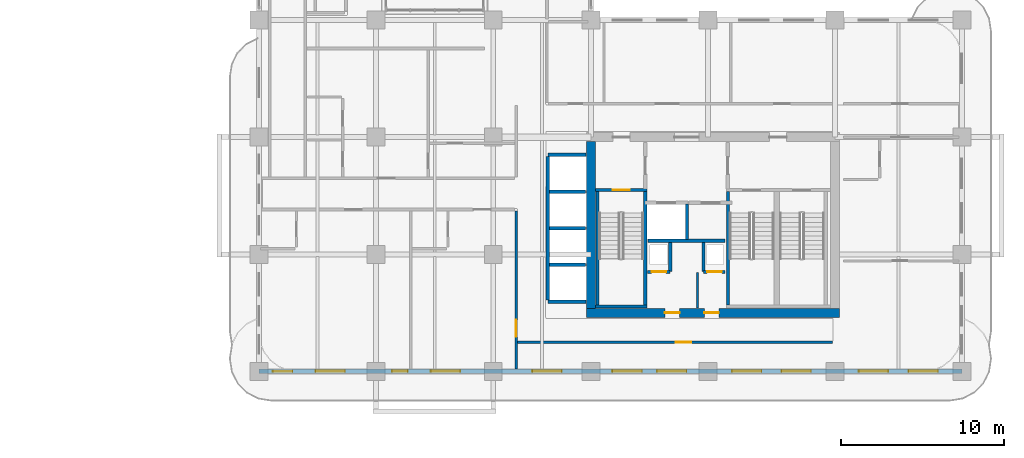
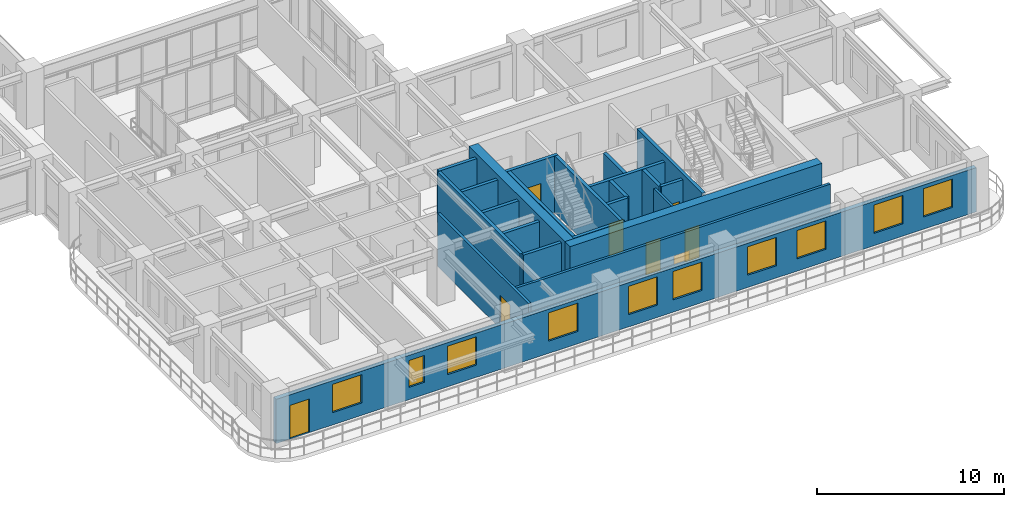
# One storey, part 13 of 22: 23 walls, 10 windows, 8 doors, 18 openings.
"""IFC4 building model written with IfcOpenShell, lengths in metres."""

from ifc_helpers import new_model, si_unit, derived_unit, direction, frame, frame_2d, origin, place, context, subcontext, project, spatial, rectangle, extrude, source, transform, mapped, material, layer, layer_set, type_object, type_shapes, element, fill, save


model = new_model("IFC4")

# Units and contexts
model_context = context("Model", 3, precision=1e-05, world=origin(), true_north=direction((0.0, 1.0)))
body_context = subcontext(model_context, "Body", "Model", "MODEL_VIEW")
ifc_project = project(units=[si_unit("LENGTHUNIT", "METRE"), si_unit("AREAUNIT", "SQUARE_METRE"), si_unit("VOLUMEUNIT", "CUBIC_METRE"), si_unit("PLANEANGLEUNIT", "RADIAN"), si_unit("MASSUNIT", "GRAM", prefix="KILO"), si_unit("THERMODYNAMICTEMPERATUREUNIT", "KELVIN"), si_unit("POWERUNIT", "WATT"), derived_unit("THERMALTRANSMITTANCEUNIT", [(si_unit("POWERUNIT", "WATT"), 1), (si_unit("AREAUNIT", "SQUARE_METRE"), -1), (si_unit("THERMODYNAMICTEMPERATUREUNIT", "KELVIN"), -1)])], contexts=[model_context])

# Site, building, storey
site_placement = place(None, origin())
site = spatial("IfcSite", under=ifc_project, at=site_placement, CompositionType="ELEMENT")
building_placement = place(site_placement, origin())
building = spatial("IfcBuilding", under=site, at=building_placement, Name="Zahravan Archway Hotel and Residences", CompositionType="ELEMENT")
storey_placement = place(building_placement, frame((0.0, 0.0, 87.89990234375)))
storey = spatial("IfcBuildingStorey", under=building, at=storey_placement, Name="L21", CompositionType="ELEMENT", Elevation=87.89990234375)

# Wall, openings, doors
ifc_material_1 = material(Name="Concrete C70/85", Category="concrete")
ifc_layer_1 = layer(ifc_material_1, 0.550048828125, Name="Concrete C70/85", Category="concrete")
ifc_layer_set_1 = layer_set([ifc_layer_1], Name="Concrete C70/85")
wall_type_1 = type_object("IfcWallType", Name="CW-CORE-550", PredefinedType="SHEAR", material=ifc_layer_set_1)
wall_1_placement = place(storey_placement, frame((34.52490234375, 3.60009765625, 0.0), z_axis=(0.0, 0.0, 1.0), x_axis=(1.0, 0.0, 0.0)))
wall_1 = element("IfcWall", 1, at=wall_1_placement, inside=storey, type_object=wall_type_1, Name="L21 Core A Shear S Wall 550 mm", PredefinedType="SHEAR", context=body_context, shape_type="SweptSolid", body=[
    extrude(rectangle(XDim=15.550048828125, YDim=0.550048828125, at=frame_2d((7.77490234375, 0.0))), origin(), (0.0, 0.0, 1.0), 3.7001953125),
])
opening_1_placement = place(wall_1_placement, frame((4.824951171875, 0.0, 0.0)))
opening_1 = element("IfcOpeningElement", 2, at=opening_1_placement, cuts=wall_1, Name="Opening FD-R1", PredefinedType="OPENING", context=body_context, shape_type="SweptSolid", body=[
    extrude(rectangle(XDim=0.89990234375, YDim=2.10009765625, at=frame_2d((0.449951171875, 1.050048828125))), frame((0.0, 0.28515625, 0.0), z_axis=(0.0, -1.0, 0.0), x_axis=(1.0, 0.0, 0.0)), (0.0, 0.0, 1.0), 0.570068359375),
])
opening_2_placement = place(wall_1_placement, frame((7.2451171875, 0.0, 0.0)))
opening_2 = element("IfcOpeningElement", 3, at=opening_2_placement, cuts=wall_1, Name="Opening FD-R1", PredefinedType="OPENING", context=body_context, shape_type="SweptSolid", body=[
    extrude(rectangle(XDim=0.89990234375, YDim=2.10009765625, at=frame_2d((0.449951171875, 1.050048828125))), frame((0.0, 0.28515625, 0.0), z_axis=(0.0, -1.0, 0.0), x_axis=(1.0, 0.0, 0.0)), (0.0, 0.0, 1.0), 0.570068359375),
])
ifc_material_2 = material(Name="Fire-Rated Painted Steel", Category="steel")
door_type_1 = type_object("IfcDoorType", Name="FD-RISER-900", OperationType="NOTDEFINED", PredefinedType="DOOR", material=ifc_material_2)
shared_shape_1 = source(origin(), body_context, "Body", "SweptSolid", [
    extrude(rectangle(XDim=0.89990234375, YDim=2.10009765625, at=frame_2d((0.449951171875, 1.050048828125))), frame((0.0, 0.02490234375, 0.0), z_axis=(0.0, -1.0, 0.0), x_axis=(1.0, 0.0, 0.0)), (0.0, 0.0, 1.0), 0.050048828125),
])
type_shapes(door_type_1, [shared_shape_1])
door_1_placement = place(opening_1_placement, origin())
door_1 = element("IfcDoor", 4, at=door_1_placement, inside=storey, type_object=door_type_1, Name="L21 Service Pantry Door", OperationType="SINGLE_SWING_RIGHT", OverallHeight=2.10009765625, OverallWidth=0.89990234375, PredefinedType="DOOR", context=body_context, shape_type="MappedRepresentation", body=[
    mapped(shared_shape_1, transform((0.0, 0.0, 0.0), scale=1.0)),
])
fill(opening_1, door_1)
door_2_placement = place(opening_2_placement, origin())
door_2 = element("IfcDoor", 5, at=door_2_placement, inside=storey, type_object=door_type_1, Name="L21 Fibre ELV Riser Door", OperationType="SINGLE_SWING_LEFT", OverallHeight=2.10009765625, OverallWidth=0.89990234375, PredefinedType="DOOR", context=body_context, shape_type="MappedRepresentation", body=[
    mapped(shared_shape_1, transform((0.0, 0.0, 0.0), scale=1.0)),
])
fill(opening_2, door_2)

# Wall
wall_2_placement = place(storey_placement, frame((34.800048828125, 3.875, 0.0), z_axis=(0.0, 0.0, 1.0), x_axis=(0.0, 1.0, 0.0)))
element("IfcWall", 6, at=wall_2_placement, inside=storey, type_object=wall_type_1, Name="L21 Core A Shear W Wall 550 mm", PredefinedType="SHEAR", context=body_context, shape_type="SweptSolid", body=[
    extrude(rectangle(XDim=10.25, YDim=0.550048828125, at=frame_2d((5.125, 0.0))), origin(), (0.0, 0.0, 1.0), 3.7001953125),
])

# Wall, openings, door, windows
ifc_material_3 = material(Name="Honed Red-Ochre Sandstone & Insulated Block", Category="masonry")
ifc_layer_2 = layer(ifc_material_3, 0.280029296875, Name="Honed Red-Ochre Sandstone & Insulated Block", Category="masonry")
ifc_layer_set_2 = layer_set([ifc_layer_2], Name="Honed Red-Ochre Sandstone & Insulated Block")
wall_type_2 = type_object("IfcWallType", Name="EW-LOG-280", PredefinedType="SOLIDWALL", material=ifc_layer_set_2)
wall_3_placement = place(storey_placement, frame((14.39990234375, 0.0, 0.0), z_axis=(0.0, 0.0, 1.0), x_axis=(1.0, 0.0, 0.0)))
wall_3 = element("IfcWall", 7, at=wall_3_placement, inside=storey, type_object=wall_type_2, Name="L21 Exterior Sandstone Wall WA-S", PredefinedType="SOLIDWALL", context=body_context, shape_type="SweptSolid", body=[
    extrude(rectangle(XDim=43.2001953125, YDim=0.280029296875, at=frame_2d((21.60009765625, 0.0))), origin(), (0.0, 0.0, 1.0), 2.885009765625),
])
opening_3_placement = place(wall_3_placement, frame((0.85009765625, 0.0, 0.0)))
opening_3 = element("IfcOpeningElement", 8, at=opening_3_placement, cuts=wall_3, Name="Opening ED-BL1", PredefinedType="OPENING", context=body_context, shape_type="SweptSolid", body=[
    extrude(rectangle(XDim=1.199951171875, YDim=2.199951171875, at=frame_2d((0.60009765625, 1.10009765625))), frame((0.0, 0.14990234375, 0.0), z_axis=(0.0, -1.0, 0.0), x_axis=(1.0, 0.0, 0.0)), (0.0, 0.0, 1.0), 0.300048828125),
])
opening_4_placement = place(wall_3_placement, frame((3.47509765625, 0.0, 0.800048828125)))
opening_4 = element("IfcOpeningElement", 9, at=opening_4_placement, cuts=wall_3, Name="Opening W-02", PredefinedType="OPENING", context=body_context, shape_type="SweptSolid", body=[
    extrude(rectangle(XDim=1.800048828125, YDim=1.85009765625, at=frame_2d((0.89990234375, 0.925048828125))), frame((0.0, 0.14990234375, 0.0), z_axis=(0.0, -1.0, 0.0), x_axis=(1.0, 0.0, 0.0)), (0.0, 0.0, 1.0), 0.300048828125),
])
opening_5_placement = place(wall_3_placement, frame((8.180908203125, 0.0, 0.800048828125)))
opening_5 = element("IfcOpeningElement", 10, at=opening_5_placement, cuts=wall_3, Name="Opening W-04", PredefinedType="OPENING", context=body_context, shape_type="SweptSolid", body=[
    extrude(rectangle(XDim=0.949951171875, YDim=1.75, at=frame_2d((0.47509765625, 0.875))), frame((0.0, 0.14990234375, 0.0), z_axis=(0.0, -1.0, 0.0), x_axis=(1.0, 0.0, 0.0)), (0.0, 0.0, 1.0), 0.300048828125),
])
opening_6_placement = place(wall_3_placement, frame((10.56396484375, 0.0, 0.800048828125)))
opening_6 = element("IfcOpeningElement", 11, at=opening_6_placement, cuts=wall_3, Name="Opening W-02", PredefinedType="OPENING", context=body_context, shape_type="SweptSolid", body=[
    extrude(rectangle(XDim=1.800048828125, YDim=1.85009765625, at=frame_2d((0.89990234375, 0.925048828125))), frame((0.0, 0.14990234375, 0.0), z_axis=(0.0, -1.0, 0.0), x_axis=(1.0, 0.0, 0.0)), (0.0, 0.0, 1.0), 0.300048828125),
])
opening_7_placement = place(wall_3_placement, frame((16.803955078125, 0.0, 0.800048828125)))
opening_7 = element("IfcOpeningElement", 12, at=opening_7_placement, cuts=wall_3, Name="Opening W-02", PredefinedType="OPENING", context=body_context, shape_type="SweptSolid", body=[
    extrude(rectangle(XDim=1.800048828125, YDim=1.85009765625, at=frame_2d((0.89990234375, 0.925048828125))), frame((0.0, 0.14990234375, 0.0), z_axis=(0.0, -1.0, 0.0), x_axis=(1.0, 0.0, 0.0)), (0.0, 0.0, 1.0), 0.300048828125),
])
opening_8_placement = place(wall_3_placement, frame((21.72509765625, 0.0, 0.800048828125)))
opening_8 = element("IfcOpeningElement", 13, at=opening_8_placement, cuts=wall_3, Name="Opening W-02", PredefinedType="OPENING", context=body_context, shape_type="SweptSolid", body=[
    extrude(rectangle(XDim=1.800048828125, YDim=1.85009765625, at=frame_2d((0.89990234375, 0.925048828125))), frame((0.0, 0.14990234375, 0.0), z_axis=(0.0, -1.0, 0.0), x_axis=(1.0, 0.0, 0.0)), (0.0, 0.0, 1.0), 0.300048828125),
])
opening_9_placement = place(wall_3_placement, frame((24.47509765625, 0.0, 0.800048828125)))
opening_9 = element("IfcOpeningElement", 14, at=opening_9_placement, cuts=wall_3, Name="Opening W-02", PredefinedType="OPENING", context=body_context, shape_type="SweptSolid", body=[
    extrude(rectangle(XDim=1.800048828125, YDim=1.85009765625, at=frame_2d((0.89990234375, 0.925048828125))), frame((0.0, 0.14990234375, 0.0), z_axis=(0.0, -1.0, 0.0), x_axis=(1.0, 0.0, 0.0)), (0.0, 0.0, 1.0), 0.300048828125),
])
opening_10_placement = place(wall_3_placement, frame((29.074951171875, 0.0, 0.800048828125)))
opening_10 = element("IfcOpeningElement", 15, at=opening_10_placement, cuts=wall_3, Name="Opening W-02", PredefinedType="OPENING", context=body_context, shape_type="SweptSolid", body=[
    extrude(rectangle(XDim=1.800048828125, YDim=1.85009765625, at=frame_2d((0.89990234375, 0.925048828125))), frame((0.0, 0.14990234375, 0.0), z_axis=(0.0, -1.0, 0.0), x_axis=(1.0, 0.0, 0.0)), (0.0, 0.0, 1.0), 0.300048828125),
])
opening_11_placement = place(wall_3_placement, frame((32.125, 0.0, 0.800048828125)))
opening_11 = element("IfcOpeningElement", 16, at=opening_11_placement, cuts=wall_3, Name="Opening W-02", PredefinedType="OPENING", context=body_context, shape_type="SweptSolid", body=[
    extrude(rectangle(XDim=1.800048828125, YDim=1.85009765625, at=frame_2d((0.89990234375, 0.925048828125))), frame((0.0, 0.14990234375, 0.0), z_axis=(0.0, -1.0, 0.0), x_axis=(1.0, 0.0, 0.0)), (0.0, 0.0, 1.0), 0.300048828125),
])
opening_12_placement = place(wall_3_placement, frame((36.875, 0.0, 0.800048828125)))
opening_12 = element("IfcOpeningElement", 17, at=opening_12_placement, cuts=wall_3, Name="Opening W-02", PredefinedType="OPENING", context=body_context, shape_type="SweptSolid", body=[
    extrude(rectangle(XDim=1.800048828125, YDim=1.85009765625, at=frame_2d((0.89990234375, 0.925048828125))), frame((0.0, 0.14990234375, 0.0), z_axis=(0.0, -1.0, 0.0), x_axis=(1.0, 0.0, 0.0)), (0.0, 0.0, 1.0), 0.300048828125),
])
opening_13_placement = place(wall_3_placement, frame((39.925048828125, 0.0, 0.800048828125)))
opening_13 = element("IfcOpeningElement", 18, at=opening_13_placement, cuts=wall_3, Name="Opening W-02", PredefinedType="OPENING", context=body_context, shape_type="SweptSolid", body=[
    extrude(rectangle(XDim=1.800048828125, YDim=1.85009765625, at=frame_2d((0.89990234375, 0.925048828125))), frame((0.0, 0.14990234375, 0.0), z_axis=(0.0, -1.0, 0.0), x_axis=(1.0, 0.0, 0.0)), (0.0, 0.0, 1.0), 0.300048828125),
])
ifc_material_4 = material(Name="Bronze-Anodized Glazed Aluminium", Category="aluminium")
door_type_2 = type_object("IfcDoorType", Name="ED-BALC-1200", OperationType="SLIDING_TO_LEFT", PredefinedType="DOOR", material=ifc_material_4)
shared_shape_2 = source(origin(), body_context, "Body", "SweptSolid", [
    extrude(rectangle(XDim=1.199951171875, YDim=2.199951171875, at=frame_2d((0.60009765625, 1.10009765625))), frame((0.0, 0.02490234375, 0.0), z_axis=(0.0, -1.0, 0.0), x_axis=(1.0, 0.0, 0.0)), (0.0, 0.0, 1.0), 0.050048828125),
])
type_shapes(door_type_2, [shared_shape_2])
door_3_placement = place(opening_3_placement, origin())
door_3 = element("IfcDoor", 19, at=door_3_placement, inside=storey, type_object=door_type_2, Name="L21 Outdoor Access Sliding Door (SLB-BAL-L21-SA)", OperationType="SLIDING_TO_LEFT", OverallHeight=2.199951171875, OverallWidth=1.199951171875, PredefinedType="DOOR", context=body_context, shape_type="MappedRepresentation", body=[
    mapped(shared_shape_2, transform((0.0, 0.0, 0.0), scale=1.0)),
])
fill(opening_3, door_3)
ifc_material_5 = material(Name="Bronze-Anodized Thermal-Break Aluminium & Low-E Glass", Category="aluminium")
window_type_1 = type_object("IfcWindowType", Name="WIN-NAR-950", PartitioningType="SINGLE_PANEL", PredefinedType="WINDOW", material=ifc_material_5)
shared_shape_3 = source(origin(), body_context, "Body", "SweptSolid", [
    extrude(rectangle(XDim=0.949951171875, YDim=1.75, at=frame_2d((0.47509765625, 0.875))), frame((0.0, 0.030029296875, 0.0), z_axis=(0.0, -1.0, 0.0), x_axis=(1.0, 0.0, 0.0)), (0.0, 0.0, 1.0), 0.06005859375),
])
type_shapes(window_type_1, [shared_shape_3])
window_1_placement = place(opening_5_placement, origin())
window_1 = element("IfcWindow", 20, at=window_1_placement, inside=storey, type_object=window_type_1, Name="L21 Loggia Window 02", OverallHeight=1.75, OverallWidth=0.949951171875, PartitioningType="SINGLE_PANEL", PredefinedType="WINDOW", context=body_context, shape_type="MappedRepresentation", body=[
    mapped(shared_shape_3, transform((0.0, 0.0, 0.0), scale=1.0)),
])
fill(opening_5, window_1)
window_type_2 = type_object("IfcWindowType", Name="WIN-TWR-1800", PartitioningType="DOUBLE_PANEL_VERTICAL", PredefinedType="WINDOW", material=ifc_material_5)
shared_shape_4 = source(origin(), body_context, "Body", "SweptSolid", [
    extrude(rectangle(XDim=1.800048828125, YDim=1.85009765625, at=frame_2d((0.89990234375, 0.925048828125))), frame((0.0, 0.030029296875, 0.0), z_axis=(0.0, -1.0, 0.0), x_axis=(1.0, 0.0, 0.0)), (0.0, 0.0, 1.0), 0.06005859375),
])
type_shapes(window_type_2, [shared_shape_4])
window_2_placement = place(opening_4_placement, origin())
window_2 = element("IfcWindow", 21, at=window_2_placement, inside=storey, type_object=window_type_2, Name="L21 Loggia Window 01", OverallHeight=1.85009765625, OverallWidth=1.800048828125, PartitioningType="DOUBLE_PANEL_VERTICAL", PredefinedType="WINDOW", context=body_context, shape_type="MappedRepresentation", body=[
    mapped(shared_shape_4, transform((0.0, 0.0, 0.0), scale=1.0)),
])
fill(opening_4, window_2)
window_3_placement = place(opening_6_placement, origin())
window_3 = element("IfcWindow", 22, at=window_3_placement, inside=storey, type_object=window_type_2, Name="L21 Loggia Window 03", OverallHeight=1.85009765625, OverallWidth=1.800048828125, PartitioningType="DOUBLE_PANEL_VERTICAL", PredefinedType="WINDOW", context=body_context, shape_type="MappedRepresentation", body=[
    mapped(shared_shape_4, transform((0.0, 0.0, 0.0), scale=1.0)),
])
fill(opening_6, window_3)
window_4_placement = place(opening_7_placement, origin())
window_4 = element("IfcWindow", 23, at=window_4_placement, inside=storey, type_object=window_type_2, Name="L21 Loggia Window 04", OverallHeight=1.85009765625, OverallWidth=1.800048828125, PartitioningType="DOUBLE_PANEL_VERTICAL", PredefinedType="WINDOW", context=body_context, shape_type="MappedRepresentation", body=[
    mapped(shared_shape_4, transform((0.0, 0.0, 0.0), scale=1.0)),
])
fill(opening_7, window_4)
window_5_placement = place(opening_8_placement, origin())
window_5 = element("IfcWindow", 24, at=window_5_placement, inside=storey, type_object=window_type_2, Name="L21 Loggia Window 05", OverallHeight=1.85009765625, OverallWidth=1.800048828125, PartitioningType="DOUBLE_PANEL_VERTICAL", PredefinedType="WINDOW", context=body_context, shape_type="MappedRepresentation", body=[
    mapped(shared_shape_4, transform((0.0, 0.0, 0.0), scale=1.0)),
])
fill(opening_8, window_5)
window_6_placement = place(opening_9_placement, origin())
window_6 = element("IfcWindow", 25, at=window_6_placement, inside=storey, type_object=window_type_2, Name="L21 Loggia Window 06", OverallHeight=1.85009765625, OverallWidth=1.800048828125, PartitioningType="DOUBLE_PANEL_VERTICAL", PredefinedType="WINDOW", context=body_context, shape_type="MappedRepresentation", body=[
    mapped(shared_shape_4, transform((0.0, 0.0, 0.0), scale=1.0)),
])
fill(opening_9, window_6)
window_7_placement = place(opening_10_placement, origin())
window_7 = element("IfcWindow", 26, at=window_7_placement, inside=storey, type_object=window_type_2, Name="L21 Loggia Window 07", OverallHeight=1.85009765625, OverallWidth=1.800048828125, PartitioningType="DOUBLE_PANEL_VERTICAL", PredefinedType="WINDOW", context=body_context, shape_type="MappedRepresentation", body=[
    mapped(shared_shape_4, transform((0.0, 0.0, 0.0), scale=1.0)),
])
fill(opening_10, window_7)
window_8_placement = place(opening_11_placement, origin())
window_8 = element("IfcWindow", 27, at=window_8_placement, inside=storey, type_object=window_type_2, Name="L21 Loggia Window 08", OverallHeight=1.85009765625, OverallWidth=1.800048828125, PartitioningType="DOUBLE_PANEL_VERTICAL", PredefinedType="WINDOW", context=body_context, shape_type="MappedRepresentation", body=[
    mapped(shared_shape_4, transform((0.0, 0.0, 0.0), scale=1.0)),
])
fill(opening_11, window_8)
window_9_placement = place(opening_12_placement, origin())
window_9 = element("IfcWindow", 28, at=window_9_placement, inside=storey, type_object=window_type_2, Name="L21 Loggia Window 09", OverallHeight=1.85009765625, OverallWidth=1.800048828125, PartitioningType="DOUBLE_PANEL_VERTICAL", PredefinedType="WINDOW", context=body_context, shape_type="MappedRepresentation", body=[
    mapped(shared_shape_4, transform((0.0, 0.0, 0.0), scale=1.0)),
])
fill(opening_12, window_9)
window_10_placement = place(opening_13_placement, origin())
window_10 = element("IfcWindow", 29, at=window_10_placement, inside=storey, type_object=window_type_2, Name="L21 Loggia Window 10", OverallHeight=1.85009765625, OverallWidth=1.800048828125, PartitioningType="DOUBLE_PANEL_VERTICAL", PredefinedType="WINDOW", context=body_context, shape_type="MappedRepresentation", body=[
    mapped(shared_shape_4, transform((0.0, 0.0, 0.0), scale=1.0)),
])
fill(opening_13, window_10)

# Wall, opening, door
ifc_material_6 = material(Name="Fire-Rated Gypsum & Concrete Block", Category="concrete")
ifc_layer_3 = layer(ifc_material_6, 0.159912109375, Name="Fire-Rated Gypsum & Concrete Block", Category="concrete")
ifc_layer_set_3 = layer_set([ifc_layer_3], Name="Fire-Rated Gypsum & Concrete Block")
wall_type_3 = type_object("IfcWallType", Name="PW-CORR-160", PredefinedType="PARTITIONING", material=ifc_layer_set_3)
wall_4_placement = place(storey_placement, frame((30.199951171875, 0.14794921875, 0.0), z_axis=(0.0, 0.0, 1.0), x_axis=(0.0, 1.0, 0.0)))
wall_4 = element("IfcWall", 30, at=wall_4_placement, inside=storey, type_object=wall_type_3, Name="L21 Partition WA-SRW", PredefinedType="PARTITIONING", context=body_context, shape_type="SweptSolid", body=[
    extrude(rectangle(XDim=9.712158203125, YDim=0.159912109375, at=frame_2d((4.85595703125, 0.0))), origin(), (0.0, 0.0, 1.0), 3.4501953125),
])
opening_14_placement = place(wall_4_placement, frame((1.97705078125, 0.0, 0.0)))
opening_14 = element("IfcOpeningElement", 31, at=opening_14_placement, cuts=wall_4, Name="Opening FD-L2", PredefinedType="OPENING", context=body_context, shape_type="SweptSolid", body=[
    extrude(rectangle(XDim=1.050048828125, YDim=2.14990234375, at=frame_2d((0.52490234375, 1.074951171875))), frame((0.0, 0.08984375, 0.0), z_axis=(0.0, -1.0, 0.0), x_axis=(1.0, 0.0, 0.0)), (0.0, 0.0, 1.0), 0.179931640625),
])
door_type_3 = type_object("IfcDoorType", Name="FD-LOBBY-1100", OperationType="NOTDEFINED", PredefinedType="DOOR", material=ifc_material_2)
shared_shape_5 = source(origin(), body_context, "Body", "SweptSolid", [
    extrude(rectangle(XDim=1.050048828125, YDim=2.14990234375, at=frame_2d((0.52490234375, 1.074951171875))), frame((0.0, 0.02490234375, 0.0), z_axis=(0.0, -1.0, 0.0), x_axis=(1.0, 0.0, 0.0)), (0.0, 0.0, 1.0), 0.050048828125),
])
type_shapes(door_type_3, [shared_shape_5])
door_4_placement = place(opening_14_placement, origin())
door_4 = element("IfcDoor", 32, at=door_4_placement, inside=storey, type_object=door_type_3, Name="L21 South Riser Corridor Door", OperationType="SINGLE_SWING_LEFT", OverallHeight=2.14990234375, OverallWidth=1.050048828125, PredefinedType="DOOR", context=body_context, shape_type="MappedRepresentation", body=[
    mapped(shared_shape_5, transform((0.0, 0.0, 0.0), scale=1.0)),
])
fill(opening_14, door_4)

wall_5_placement = place(storey_placement, frame((30.2900390625, 1.800048828125, 0.0), z_axis=(0.0, 0.0, 1.0), x_axis=(1.0, 0.0, 0.0)))
wall_5 = element("IfcWall", 33, at=wall_5_placement, inside=storey, type_object=wall_type_3, Name="L21 Partition WA-SRS", PredefinedType="PARTITIONING", context=body_context, shape_type="SweptSolid", body=[
    extrude(rectangle(XDim=19.369873046875, YDim=0.159912109375, at=frame_2d((9.68505859375, 0.0))), origin(), (0.0, 0.0, 1.0), 3.4501953125),
])
opening_15_placement = place(wall_5_placement, frame((9.735107421875, 0.0, 0.0)))
opening_15 = element("IfcOpeningElement", 34, at=opening_15_placement, cuts=wall_5, Name="Opening D-I1", PredefinedType="OPENING", context=body_context, shape_type="SweptSolid", body=[
    extrude(rectangle(XDim=0.949951171875, YDim=2.14990234375, at=frame_2d((0.47509765625, 1.074951171875))), frame((0.0, 0.08984375, 0.0), z_axis=(0.0, -1.0, 0.0), x_axis=(1.0, 0.0, 0.0)), (0.0, 0.0, 1.0), 0.179931640625),
])
ifc_material_7 = material(Name="Hardwood Veneer Timber", Category="wood")
door_type_4 = type_object("IfcDoorType", Name="ID-INT-950", OperationType="NOTDEFINED", PredefinedType="DOOR", material=ifc_material_7)
shared_shape_6 = source(origin(), body_context, "Body", "SweptSolid", [
    extrude(rectangle(XDim=0.949951171875, YDim=2.14990234375, at=frame_2d((0.47509765625, 1.074951171875))), frame((0.0, 0.02490234375, 0.0), z_axis=(0.0, -1.0, 0.0), x_axis=(1.0, 0.0, 0.0)), (0.0, 0.0, 1.0), 0.050048828125),
])
type_shapes(door_type_4, [shared_shape_6])
door_5_placement = place(opening_15_placement, origin())
door_5 = element("IfcDoor", 35, at=door_5_placement, inside=storey, type_object=door_type_4, Name="L21 South Viewing Lounge Door", OperationType="SINGLE_SWING_RIGHT", OverallHeight=2.14990234375, OverallWidth=0.949951171875, PredefinedType="DOOR", context=body_context, shape_type="MappedRepresentation", body=[
    mapped(shared_shape_6, transform((0.0, 0.0, 0.0), scale=1.0)),
])
fill(opening_15, door_5)

# Walls
ifc_layer_4 = layer(ifc_material_6, 0.199951171875, Name="Fire-Rated Gypsum & Concrete Block", Category="concrete")
ifc_layer_set_4 = layer_set([ifc_layer_4], Name="Fire-Rated Gypsum & Concrete Block")
wall_type_4 = type_object("IfcWallType", Name="PW-SHAFT-200", PredefinedType="PARTITIONING", material=ifc_layer_set_4)
wall_6_placement = place(storey_placement, frame((38.300048828125, 8.030029296875, 0.0), z_axis=(0.0, 0.0, 1.0), x_axis=(1.0, 0.0, 0.0)))
element("IfcWall", 36, at=wall_6_placement, inside=storey, type_object=wall_type_4, Name="L21 Partition CA-FLS", PredefinedType="PARTITIONING", context=body_context, shape_type="SweptSolid", body=[
    extrude(rectangle(XDim=4.739990234375, YDim=0.199951171875, at=frame_2d((2.3701171875, 0.0))), origin(), (0.0, 0.0, 1.0), 3.4501953125),
])
wall_7_placement = place(storey_placement, frame((40.699951171875, 8.1201171875, 0.0), z_axis=(0.0, 0.0, 1.0), x_axis=(0.0, 1.0, 0.0)))
element("IfcWall", 37, at=wall_7_placement, inside=storey, type_object=wall_type_4, Name="L21 Partition CA-FLM", PredefinedType="PARTITIONING", context=body_context, shape_type="SweptSolid", body=[
    extrude(rectangle(XDim=2.179931640625, YDim=0.199951171875, at=frame_2d((1.08984375, 0.0))), origin(), (0.0, 0.0, 1.0), 3.4501953125),
])

# Wall, opening, door
wall_8_placement = place(storey_placement, frame((38.2900390625, 6.1201171875, 0.0), z_axis=(0.0, 0.0, 1.0), x_axis=(1.0, 0.0, 0.0)))
wall_8 = element("IfcWall", 38, at=wall_8_placement, inside=storey, type_object=wall_type_4, Name="L21 Partition CA-SMKS", PredefinedType="PARTITIONING", context=body_context, shape_type="SweptSolid", body=[
    extrude(rectangle(XDim=1.3798828125, YDim=0.199951171875, at=frame_2d((0.68994140625, 0.0))), origin(), (0.0, 0.0, 1.0), 3.4501953125),
])
opening_16_placement = place(wall_8_placement, frame((0.239990234375, 0.0, 0.0)))
opening_16 = element("IfcOpeningElement", 39, at=opening_16_placement, cuts=wall_8, Name="Opening FD-R1", PredefinedType="OPENING", context=body_context, shape_type="SweptSolid", body=[
    extrude(rectangle(XDim=0.89990234375, YDim=2.10009765625, at=frame_2d((0.449951171875, 1.050048828125))), frame((0.0, 0.10986328125, 0.0), z_axis=(0.0, -1.0, 0.0), x_axis=(1.0, 0.0, 0.0)), (0.0, 0.0, 1.0), 0.219970703125),
])
door_6_placement = place(opening_16_placement, origin())
door_6 = element("IfcDoor", 40, at=door_6_placement, inside=storey, type_object=door_type_1, Name="L21 Smoke Riser Access Door", OperationType="SINGLE_SWING_RIGHT", OverallHeight=2.10009765625, OverallWidth=0.89990234375, PredefinedType="DOOR", context=body_context, shape_type="MappedRepresentation", body=[
    mapped(shared_shape_1, transform((0.0, 0.0, 0.0), scale=1.0)),
])
fill(opening_16, door_6)

# Wall
wall_9_placement = place(storey_placement, frame((39.679931640625, 6.1298828125, 0.0), z_axis=(0.0, 0.0, 1.0), x_axis=(0.0, 1.0, 0.0)))
element("IfcWall", 41, at=wall_9_placement, inside=storey, type_object=wall_type_4, Name="L21 Partition CA-SMKE", PredefinedType="PARTITIONING", context=body_context, shape_type="SweptSolid", body=[
    extrude(rectangle(XDim=1.7900390625, YDim=0.199951171875, at=frame_2d((0.89501953125, 0.0))), origin(), (0.0, 0.0, 1.0), 3.4501953125),
])

# Wall, opening, door
wall_10_placement = place(storey_placement, frame((41.72998046875, 6.1201171875, 0.0), z_axis=(0.0, 0.0, 1.0), x_axis=(1.0, 0.0, 0.0)))
wall_10 = element("IfcWall", 42, at=wall_10_placement, inside=storey, type_object=wall_type_4, Name="L21 Partition CA-MEPS", PredefinedType="PARTITIONING", context=body_context, shape_type="SweptSolid", body=[
    extrude(rectangle(XDim=1.320068359375, YDim=0.199951171875, at=frame_2d((0.66015625, 0.0))), origin(), (0.0, 0.0, 1.0), 3.4501953125),
])
opening_17_placement = place(wall_10_placement, frame((0.219970703125, 0.0, 0.0)))
opening_17 = element("IfcOpeningElement", 43, at=opening_17_placement, cuts=wall_10, Name="Opening FD-R1", PredefinedType="OPENING", context=body_context, shape_type="SweptSolid", body=[
    extrude(rectangle(XDim=0.89990234375, YDim=2.10009765625, at=frame_2d((0.449951171875, 1.050048828125))), frame((0.0, 0.10986328125, 0.0), z_axis=(0.0, -1.0, 0.0), x_axis=(1.0, 0.0, 0.0)), (0.0, 0.0, 1.0), 0.219970703125),
])
door_7_placement = place(opening_17_placement, origin())
door_7 = element("IfcDoor", 44, at=door_7_placement, inside=storey, type_object=door_type_1, Name="L21 MEP Riser Access Door", OperationType="SINGLE_SWING_LEFT", OverallHeight=2.10009765625, OverallWidth=0.89990234375, PredefinedType="DOOR", context=body_context, shape_type="MappedRepresentation", body=[
    mapped(shared_shape_1, transform((0.0, 0.0, 0.0), scale=1.0)),
])
fill(opening_17, door_7)

# Walls
wall_11_placement = place(storey_placement, frame((41.719970703125, 6.1298828125, 0.0), z_axis=(0.0, 0.0, 1.0), x_axis=(0.0, 1.0, 0.0)))
element("IfcWall", 45, at=wall_11_placement, inside=storey, type_object=wall_type_4, Name="L21 Partition CA-MEPW", PredefinedType="PARTITIONING", context=body_context, shape_type="SweptSolid", body=[
    extrude(rectangle(XDim=1.7900390625, YDim=0.199951171875, at=frame_2d((0.89501953125, 0.0))), origin(), (0.0, 0.0, 1.0), 3.4501953125),
])
for number, where, z_axis, x_axis, name in (
    (46, (32.159912109375, 4.280029296875, 0.0), (0.0, 0.0, 1.0), (1.0, 0.0, 0.0), "L21 Partition B3-S"),
    (47, (32.159912109375, 13.320068359375, 0.0), (0.0, 0.0, 1.0), (1.0, 0.0, 0.0), "L21 Partition B3-N"),
):
    element("IfcWall", number, at=place(storey_placement, frame(where, z_axis=z_axis, x_axis=x_axis)), inside=storey, type_object=wall_type_4, Name=name, PredefinedType="PARTITIONING", context=body_context, shape_type="SweptSolid", body=[
        extrude(rectangle(XDim=2.335205078125, YDim=0.199951171875, at=frame_2d((1.16748046875, 0.0))), origin(), (0.0, 0.0, 1.0), 3.4501953125),
    ])
wall_12_placement = place(storey_placement, frame((32.14990234375, 4.389892578125, 0.0), z_axis=(0.0, 0.0, 1.0), x_axis=(0.0, 1.0, 0.0)))
element("IfcWall", 48, at=wall_12_placement, inside=storey, type_object=wall_type_4, Name="L21 Partition B3-W", PredefinedType="PARTITIONING", context=body_context, shape_type="SweptSolid", body=[
    extrude(rectangle(XDim=8.820068359375, YDim=0.199951171875, at=frame_2d((4.41015625, 0.0))), origin(), (0.0, 0.0, 1.0), 3.4501953125),
])
for number, where, z_axis, x_axis, name in (
    (49, (32.260009765625, 6.56005859375, 0.0), (0.0, 0.0, 1.0), (1.0, 0.0, 0.0), "L21 Partition B3-D"),
    (50, (32.260009765625, 8.800048828125, 0.0), (0.0, 0.0, 1.0), (1.0, 0.0, 0.0), "L21 Partition B3-D"),
    (51, (32.260009765625, 11.0400390625, 0.0), (0.0, 0.0, 1.0), (1.0, 0.0, 0.0), "L21 Partition B3-D"),
):
    element("IfcWall", number, at=place(storey_placement, frame(where, z_axis=z_axis, x_axis=x_axis)), inside=storey, type_object=wall_type_4, Name=name, PredefinedType="PARTITIONING", context=body_context, shape_type="SweptSolid", body=[
        extrude(rectangle(XDim=2.205078125, YDim=0.199951171875, at=frame_2d((1.1025390625, 0.0))), origin(), (0.0, 0.0, 1.0), 3.4501953125),
    ])
ifc_material_8 = material(Name="Moisture-Resistant Blockwork", Category="masonry")
ifc_layer_5 = layer(ifc_material_8, 0.139892578125, Name="Moisture-Resistant Blockwork", Category="masonry")
ifc_layer_set_5 = layer_set([ifc_layer_5], Name="Moisture-Resistant Blockwork")
wall_type_5 = type_object("IfcWallType", Name="PW-WET-140", PredefinedType="PARTITIONING", material=ifc_layer_set_5)
wall_13_placement = place(storey_placement, frame((41.35009765625, 3.89501953125, 0.0), z_axis=(0.0, 0.0, 1.0), x_axis=(0.0, 1.0, 0.0)))
element("IfcWall", 52, at=wall_13_placement, inside=storey, type_object=wall_type_5, Name="L21 Partition CA-CV3", PredefinedType="PARTITIONING", context=body_context, shape_type="SweptSolid", body=[
    extrude(rectangle(XDim=2.18505859375, YDim=0.139892578125, at=frame_2d((1.092529296875, 0.0))), origin(), (0.0, 0.0, 1.0), 3.4501953125),
])
ifc_material_9 = material(Name="Concrete C50/60", Category="concrete")
ifc_layer_6 = layer(ifc_material_9, 0.199951171875, Name="Concrete C50/60", Category="concrete")
ifc_layer_set_6 = layer_set([ifc_layer_6], Name="Concrete C50/60")
wall_type_6 = type_object("IfcWallType", Name="SW-STAIR-200", PredefinedType="SHEAR", material=ifc_layer_set_6)
wall_14_placement = place(storey_placement, frame((35.074951171875, 4.0, 0.0), z_axis=(0.0, 0.0, 1.0), x_axis=(1.0, 0.0, 0.0)))
element("IfcWall", 53, at=wall_14_placement, inside=storey, type_object=wall_type_6, Name="L21 Stairwell RC Wall CA-SA1S", PredefinedType="SHEAR", context=body_context, shape_type="SweptSolid", body=[
    extrude(rectangle(XDim=3.1650390625, YDim=0.199951171875, at=frame_2d((1.58251953125, 0.0))), origin(), (0.0, 0.0, 1.0), 3.7001953125),
])
for number, where, z_axis, x_axis, name in (
    (54, (35.199951171875, 4.10009765625, 0.0), (0.0, 0.0, 1.0), (0.0, 1.0, 0.0), "L21 Stairwell RC Wall CA-SA1W"),
    (55, (38.139892578125, 4.10009765625, 0.0), (0.0, 0.0, 1.0), (0.0, 1.0, 0.0), "L21 Stairwell RC Wall CA-SA1E"),
):
    element("IfcWall", number, at=place(storey_placement, frame(where, z_axis=z_axis, x_axis=x_axis)), inside=storey, type_object=wall_type_6, Name=name, PredefinedType="SHEAR", context=body_context, shape_type="SweptSolid", body=[
        extrude(rectangle(XDim=6.949951171875, YDim=0.199951171875, at=frame_2d((3.47509765625, 0.0))), origin(), (0.0, 0.0, 1.0), 3.7001953125),
    ])

# Wall, opening, door
wall_15_placement = place(storey_placement, frame((35.074951171875, 11.14990234375, 0.0), z_axis=(0.0, 0.0, 1.0), x_axis=(1.0, 0.0, 0.0)))
wall_15 = element("IfcWall", 56, at=wall_15_placement, inside=storey, type_object=wall_type_6, Name="L21 Stairwell RC Wall CA-SA1N", PredefinedType="SHEAR", context=body_context, shape_type="SweptSolid", body=[
    extrude(rectangle(XDim=3.1650390625, YDim=0.199951171875, at=frame_2d((1.58251953125, 0.0))), origin(), (0.0, 0.0, 1.0), 3.7001953125),
])
opening_18_placement = place(wall_15_placement, frame((1.070068359375, 0.0, 0.0)))
opening_18 = element("IfcOpeningElement", 57, at=opening_18_placement, cuts=wall_15, Name="Opening FD-S1", PredefinedType="OPENING", context=body_context, shape_type="SweptSolid", body=[
    extrude(rectangle(XDim=1.050048828125, YDim=2.199951171875, at=frame_2d((0.52490234375, 1.10009765625))), frame((0.0, 0.10986328125, 0.0), z_axis=(0.0, -1.0, 0.0), x_axis=(1.0, 0.0, 0.0)), (0.0, 0.0, 1.0), 0.219970703125),
])
door_type_5 = type_object("IfcDoorType", Name="FD-STAIR-1100", OperationType="NOTDEFINED", PredefinedType="DOOR", material=ifc_material_2)
shared_shape_7 = source(origin(), body_context, "Body", "SweptSolid", [
    extrude(rectangle(XDim=1.050048828125, YDim=2.199951171875, at=frame_2d((0.52490234375, 1.10009765625))), frame((0.0, 0.02490234375, 0.0), z_axis=(0.0, -1.0, 0.0), x_axis=(1.0, 0.0, 0.0)), (0.0, 0.0, 1.0), 0.050048828125),
])
type_shapes(door_type_5, [shared_shape_7])
door_8_placement = place(opening_18_placement, origin())
door_8 = element("IfcDoor", 58, at=door_8_placement, inside=storey, type_object=door_type_5, Name="L21 Stair ST-A1 Door", OperationType="SINGLE_SWING_LEFT", OverallHeight=2.199951171875, OverallWidth=1.050048828125, PredefinedType="DOOR", context=body_context, shape_type="MappedRepresentation", body=[
    mapped(shared_shape_7, transform((0.0, 0.0, 0.0), scale=1.0)),
])
fill(opening_18, door_8)

# Wall
wall_16_placement = place(storey_placement, frame((43.219970703125, 4.10009765625, 0.0), z_axis=(0.0, 0.0, 1.0), x_axis=(0.0, 1.0, 0.0)))
element("IfcWall", 59, at=wall_16_placement, inside=storey, type_object=wall_type_6, Name="L21 Stairwell RC Wall CA-SA2W", PredefinedType="SHEAR", context=body_context, shape_type="SweptSolid", body=[
    extrude(rectangle(XDim=6.949951171875, YDim=0.199951171875, at=frame_2d((3.47509765625, 0.0))), origin(), (0.0, 0.0, 1.0), 3.7001953125),
])

save(model, "model.ifc")
